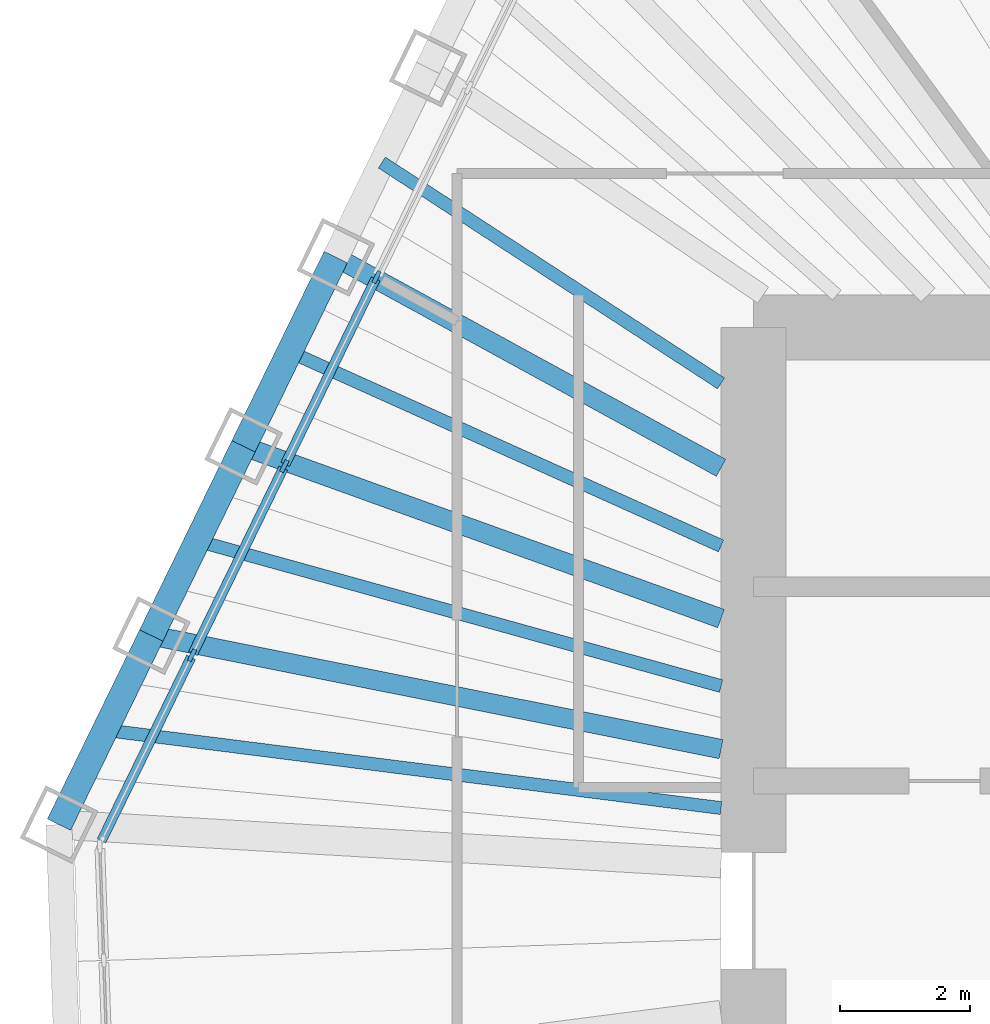
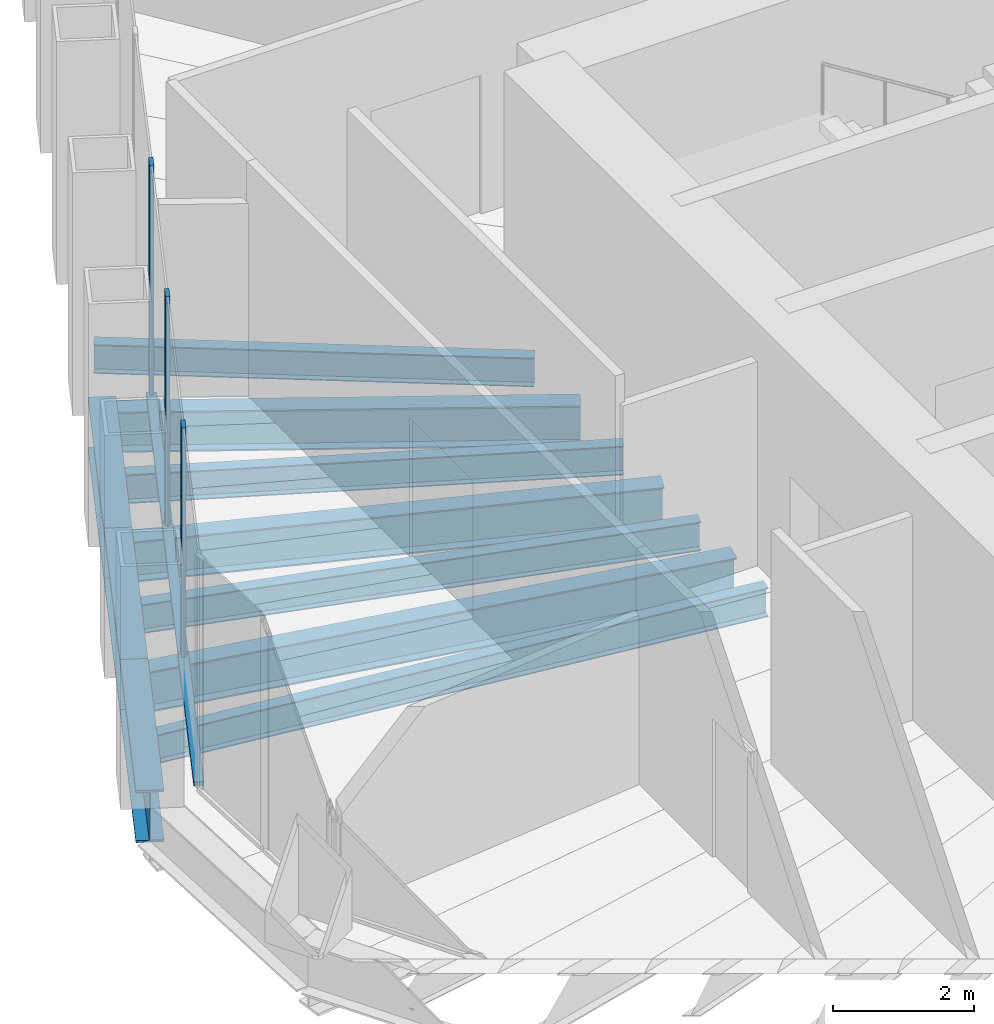
# One storey, part 4 of 14: 10 beams, 6 members, 1 element without a shape of its own.
"""IFC4 building model written with IfcOpenShell, lengths in metres."""

from ifc_helpers import new_model, si_unit, direction, frame, origin, origin_2d, place, context, subcontext, project, spatial, rectangle, i_section, extrude, material, material_profile, profile_set, type_object, element, aggregate, save


model = new_model("IFC4")

# Units and contexts
model_context = context("Model", 3, precision=1e-05, world=origin(), true_north=direction((0.0, 1.0)))
body_context = subcontext(model_context, "Body", "Model", "MODEL_VIEW")
ifc_project = project(units=[si_unit("LENGTHUNIT", "METRE"), si_unit("AREAUNIT", "SQUARE_METRE"), si_unit("VOLUMEUNIT", "CUBIC_METRE"), si_unit("PLANEANGLEUNIT", "RADIAN"), si_unit("MASSUNIT", "GRAM", prefix="KILO")], contexts=[model_context])

# Site, building, storey
site_placement = place(None, origin())
site = spatial("IfcSite", under=ifc_project, at=site_placement, CompositionType="ELEMENT")
building_placement = place(site_placement, origin())
building = spatial("IfcBuilding", under=site, at=building_placement, Name="Qingtian Harvest Tower", CompositionType="ELEMENT")
storey_placement = place(building_placement, frame((0.0, 0.0, 278.800048828125)))
storey = spatial("IfcBuildingStorey", under=building, at=storey_placement, Name="L61", CompositionType="ELEMENT", Elevation=278.800048828125)

# Beams
ifc_material_1 = material(Name="Steel SN490B", Category="steel")
ifc_material_profile_1 = material_profile(ifc_material_1, i_section(OverallWidth=0.300048828125, OverallDepth=0.699951171875, WebThickness=0.012939453125, FlangeThickness=0.02392578125, at=origin_2d()), Name="H700x300x13x24")
ifc_profile_set_1 = profile_set([ifc_material_profile_1], Name="Steel SN490B")
beam_type_1 = type_object("IfcBeamType", Name="Floor beam FB4 H700x300x13x24", PredefinedType="BEAM", material=ifc_profile_set_1)
beam_1_placement = place(storey_placement, frame((-21.29345703125, 4.246337890625, -0.52001953125), z_axis=(0.980688391079, -0.195576786971, 0.0), x_axis=(0.195576786971, 0.980688391079, 0.0)))
element("IfcBeam", 1, at=beam_1_placement, inside=storey, type_object=beam_type_1, Name="Floor beam FB4 NW1", PredefinedType="BEAM", context=body_context, shape_type="SweptSolid", body=[
    extrude(i_section(OverallWidth=0.300048828125, OverallDepth=0.699951171875, WebThickness=0.012939453125, FlangeThickness=0.02392578125, at=origin_2d()), origin(), (0.0, 0.0, 1.0), 8.966552734375),
])
beam_2_placement = place(storey_placement, frame((-19.86962890625, 7.165771484375, -0.52001953125), z_axis=(0.940688220757, -0.339272267256, 0.0), x_axis=(0.339272267256, 0.940688220757, 0.0)))
element("IfcBeam", 2, at=beam_2_placement, inside=storey, type_object=beam_type_1, Name="Floor beam FB4 NW2", PredefinedType="BEAM", context=body_context, shape_type="SweptSolid", body=[
    extrude(i_section(OverallWidth=0.300048828125, OverallDepth=0.699951171875, WebThickness=0.012939453125, FlangeThickness=0.02392578125, at=origin_2d()), origin(), (0.0, 0.0, 1.0), 7.834228515625),
])
beam_3_placement = place(storey_placement, frame((-18.44580078125, 10.0849609375, -0.52001953125), z_axis=(0.877425639682, -0.479712671116, 0.0), x_axis=(0.479712671116, 0.877425639682, 0.0)))
element("IfcBeam", 3, at=beam_3_placement, inside=storey, type_object=beam_type_1, Name="Floor beam FB4 NW3", PredefinedType="BEAM", context=body_context, shape_type="SweptSolid", body=[
    extrude(i_section(OverallWidth=0.300048828125, OverallDepth=0.699951171875, WebThickness=0.012939453125, FlangeThickness=0.02392578125, at=origin_2d()), origin(), (0.0, 0.0, 1.0), 6.7763671875),
])
ifc_material_2 = material(Name="Steel SN490B", Category="steel")
ifc_material_profile_2 = material_profile(ifc_material_2, i_section(OverallWidth=0.199951171875, OverallDepth=0.5, WebThickness=0.010009765625, FlangeThickness=0.01611328125, at=origin_2d()), Name="H500x200x10x16")
ifc_profile_set_2 = profile_set([ifc_material_profile_2], Name="Steel SN490B")
beam_type_2 = type_object("IfcBeamType", Name="Floor joist J3 H500x200x10x16", PredefinedType="JOIST", material=ifc_profile_set_2)
beam_4_placement = place(storey_placement, frame((-22.00537109375, 2.78662109375, -0.420166015625), z_axis=(0.992078247837, -0.125621455844, 0.0), x_axis=(0.125621455844, 0.992078247837, 0.0)))
element("IfcBeam", 4, at=beam_4_placement, inside=storey, type_object=beam_type_2, Name="Floor joist J3 NW0", PredefinedType="JOIST", context=body_context, shape_type="SweptSolid", body=[
    extrude(i_section(OverallWidth=0.199951171875, OverallDepth=0.5, WebThickness=0.010009765625, FlangeThickness=0.01611328125, at=origin_2d()), origin(), (0.0, 0.0, 1.0), 9.581298828125),
])
beam_5_placement = place(storey_placement, frame((-20.58154296875, 5.7060546875, -0.420166015625), z_axis=(0.963652918134, -0.267157356949, 0.0), x_axis=(0.267157356949, 0.963652918134, 0.0)))
element("IfcBeam", 5, at=beam_5_placement, inside=storey, type_object=beam_type_2, Name="Floor joist J3 NW1", PredefinedType="JOIST", context=body_context, shape_type="SweptSolid", body=[
    extrude(i_section(OverallWidth=0.199951171875, OverallDepth=0.5, WebThickness=0.010009765625, FlangeThickness=0.01611328125, at=origin_2d()), origin(), (0.0, 0.0, 1.0), 8.386474609375),
])
beam_6_placement = place(storey_placement, frame((-19.15771484375, 8.625244140625, -0.420166015625), z_axis=(0.911852669976, -0.410517610168, 0.0), x_axis=(0.410517610168, 0.911852669976, 0.0)))
element("IfcBeam", 6, at=beam_6_placement, inside=storey, type_object=beam_type_2, Name="Floor joist J3 NW2", PredefinedType="JOIST", context=body_context, shape_type="SweptSolid", body=[
    extrude(i_section(OverallWidth=0.199951171875, OverallDepth=0.5, WebThickness=0.010009765625, FlangeThickness=0.01611328125, at=origin_2d()), origin(), (0.0, 0.0, 1.0), 7.30126953125),
])
beam_7_placement = place(storey_placement, frame((-17.73388671875, 11.544677734375, -0.420166015625), z_axis=(0.838062930903, -0.545573573266, 0.0), x_axis=(0.545573573266, 0.838062930903, 0.0)))
element("IfcBeam", 7, at=beam_7_placement, inside=storey, type_object=beam_type_2, Name="Floor joist J3 NW3", PredefinedType="JOIST", context=body_context, shape_type="SweptSolid", body=[
    extrude(i_section(OverallWidth=0.199951171875, OverallDepth=0.5, WebThickness=0.010009765625, FlangeThickness=0.01611328125, at=origin_2d()), origin(), (0.0, 0.0, 1.0), 6.2451171875),
])

# Curtain wall, members
ifc_material_3 = material(Name="Bronze-anodised aluminium curtain wall", Category="aluminium")
curtain_wall_type = type_object("IfcCurtainWallType", Name="Curtain wall CW5 upper office", PredefinedType="USERDEFINED", material=ifc_material_3)
curtain_wall_placement = place(storey_placement, origin())
curtain_wall = element("IfcCurtainWall", 8, at=curtain_wall_placement, inside=storey, type_object=curtain_wall_type, Name="Curtain wall CW5 L61 NW0-5", ObjectType="RECESSED CURTAIN WALL", PredefinedType="USERDEFINED")
ifc_material_4 = material(Name="Bronze-anodised aluminium mullion", Category="aluminium")
ifc_material_profile_3 = material_profile(ifc_material_4, rectangle(XDim=0.06494140625, YDim=0.199951171875, at=origin_2d()), Name="AL 65x200")
ifc_profile_set_3 = profile_set([ifc_material_profile_3], Name="Bronze-anodised aluminium mullion")
member_type_1 = type_object("IfcMemberType", Name="Mullion CWM 65x200", PredefinedType="MULLION", material=ifc_profile_set_3)
member_1_placement = place(storey_placement, frame((-20.664306640625, 3.939453125, 0.0), z_axis=(0.0, 0.0, 1.0), x_axis=(-0.898794046299, 0.438371146789, 0.0)))
member_1 = element("IfcMember", 9, at=member_1_placement, type_object=member_type_1, Name="CW5 mullion 2", PredefinedType="MULLION", context=body_context, shape_type="SweptSolid", body=[
    extrude(rectangle(XDim=0.06494140625, YDim=0.199951171875, at=origin_2d()), origin(), (0.0, 0.0, 1.0), 4.030029296875),
])
member_2_placement = place(storey_placement, frame((-19.240478515625, 6.85888671875, 0.0), z_axis=(0.0, 0.0, 1.0), x_axis=(-0.898794046299, 0.438371146789, 0.0)))
member_2 = element("IfcMember", 10, at=member_2_placement, type_object=member_type_1, Name="CW5 mullion 3", PredefinedType="MULLION", context=body_context, shape_type="SweptSolid", body=[
    extrude(rectangle(XDim=0.06494140625, YDim=0.199951171875, at=origin_2d()), origin(), (0.0, 0.0, 1.0), 4.030029296875),
])
member_3_placement = place(storey_placement, frame((-17.816650390625, 9.778076171875, 0.0), z_axis=(0.0, 0.0, 1.0), x_axis=(-0.898794046299, 0.438371146789, 0.0)))
member_3 = element("IfcMember", 11, at=member_3_placement, type_object=member_type_1, Name="CW5 mullion 4", PredefinedType="MULLION", context=body_context, shape_type="SweptSolid", body=[
    extrude(rectangle(XDim=0.06494140625, YDim=0.199951171875, at=origin_2d()), origin(), (0.0, 0.0, 1.0), 4.030029296875),
])

# Beams
ifc_material_5 = material(Name="Steel SN490B", Category="steel")
ifc_material_profile_4 = material_profile(ifc_material_5, i_section(OverallWidth=0.39990234375, OverallDepth=0.89990234375, WebThickness=0.01904296875, FlangeThickness=0.035888671875, at=origin_2d()), Name="H900x400x19x36")
ifc_profile_set_4 = profile_set([ifc_material_profile_4], Name="Steel SN490B")
beam_type_3 = type_object("IfcBeamType", Name="Spandrel beam SB4 H900x400x19x36", PredefinedType="SPANDREL", material=ifc_profile_set_4)
beam_8_placement = place(storey_placement, frame((-22.71728515625, 1.3271484375, -0.449951171875), z_axis=(0.438382164311, 0.898788672611, 0.0), x_axis=(-0.898788672611, 0.438382164311, 0.0)))
element("IfcBeam", 12, at=beam_8_placement, inside=storey, type_object=beam_type_3, Name="Spandrel SB4 NW0", PredefinedType="SPANDREL", context=body_context, shape_type="SweptSolid", body=[
    extrude(i_section(OverallWidth=0.39990234375, OverallDepth=0.89990234375, WebThickness=0.01904296875, FlangeThickness=0.035888671875, at=origin_2d()), origin(), (0.0, 0.0, 1.0), 3.247802734375),
])
beam_9_placement = place(storey_placement, frame((-21.29345703125, 4.246337890625, -0.449951171875), z_axis=(0.438352548749, 0.898803116931, 0.0), x_axis=(-0.898803116931, 0.438352548749, 0.0)))
element("IfcBeam", 13, at=beam_9_placement, inside=storey, type_object=beam_type_3, Name="Spandrel SB4 NW1", PredefinedType="SPANDREL", context=body_context, shape_type="SweptSolid", body=[
    extrude(i_section(OverallWidth=0.39990234375, OverallDepth=0.89990234375, WebThickness=0.01904296875, FlangeThickness=0.035888671875, at=origin_2d()), origin(), (0.0, 0.0, 1.0), 3.248046875),
])
beam_10_placement = place(storey_placement, frame((-19.86962890625, 7.165771484375, -0.449951171875), z_axis=(0.438382164311, 0.898788672611, 0.0), x_axis=(-0.898788672611, 0.438382164311, 0.0)))
element("IfcBeam", 14, at=beam_10_placement, inside=storey, type_object=beam_type_3, Name="Spandrel SB4 NW2", PredefinedType="SPANDREL", context=body_context, shape_type="SweptSolid", body=[
    extrude(i_section(OverallWidth=0.39990234375, OverallDepth=0.89990234375, WebThickness=0.01904296875, FlangeThickness=0.035888671875, at=origin_2d()), origin(), (0.0, 0.0, 1.0), 3.247802734375),
])

# Member
ifc_material_6 = material(Name="Bronze-anodised aluminium transom", Category="aluminium")
ifc_material_profile_5 = material_profile(ifc_material_6, rectangle(XDim=0.14990234375, YDim=0.06494140625, at=origin_2d()), Name="AL 65x150")
ifc_profile_set_5 = profile_set([ifc_material_profile_5], Name="Bronze-anodised aluminium transom")
member_type_2 = type_object("IfcMemberType", Name="Transom CWT 65x150", PredefinedType="USERDEFINED", material=ifc_profile_set_5)
member_4_placement = place(storey_placement, frame((-22.059814453125, 1.07861328125, 0.032470703125), z_axis=(0.438357982629, 0.89880046677, 0.0), x_axis=(-0.89880046677, 0.438357982629, 0.0)))
member_4 = element("IfcMember", 15, at=member_4_placement, type_object=member_type_2, Name="CW5 transom 1.1", ObjectType="TRANSOM", PredefinedType="USERDEFINED", context=body_context, shape_type="SweptSolid", body=[
    extrude(rectangle(XDim=0.14990234375, YDim=0.06494140625, at=origin_2d()), origin(), (0.0, 0.0, 1.0), 3.150634765625),
])

member_5_placement = place(storey_placement, frame((-20.650146484375, 3.96875, 0.032470703125), z_axis=(0.438355626738, 0.898801615768, 0.0), x_axis=(-0.898801615768, 0.438355626738, 0.0)))
member_5 = element("IfcMember", 16, at=member_5_placement, type_object=member_type_2, Name="CW5 transom 2.1", ObjectType="TRANSOM", PredefinedType="USERDEFINED", context=body_context, shape_type="SweptSolid", body=[
    extrude(rectangle(XDim=0.14990234375, YDim=0.06494140625, at=origin_2d()), origin(), (0.0, 0.0, 1.0), 3.182861328125),
])

member_6_placement = place(storey_placement, frame((-19.226318359375, 6.887939453125, 0.032470703125), z_axis=(0.438325408134, 0.898816353091, 0.0), x_axis=(-0.898816353091, 0.438325408134, 0.0)))
member_6 = element("IfcMember", 17, at=member_6_placement, type_object=member_type_2, Name="CW5 transom 3.1", ObjectType="TRANSOM", PredefinedType="USERDEFINED", context=body_context, shape_type="SweptSolid", body=[
    extrude(rectangle(XDim=0.14990234375, YDim=0.06494140625, at=origin_2d()), origin(), (0.0, 0.0, 1.0), 3.18310546875),
])

aggregate(curtain_wall, [member_1, member_2, member_3, member_4, member_5, member_6])

save(model, "model.ifc")
